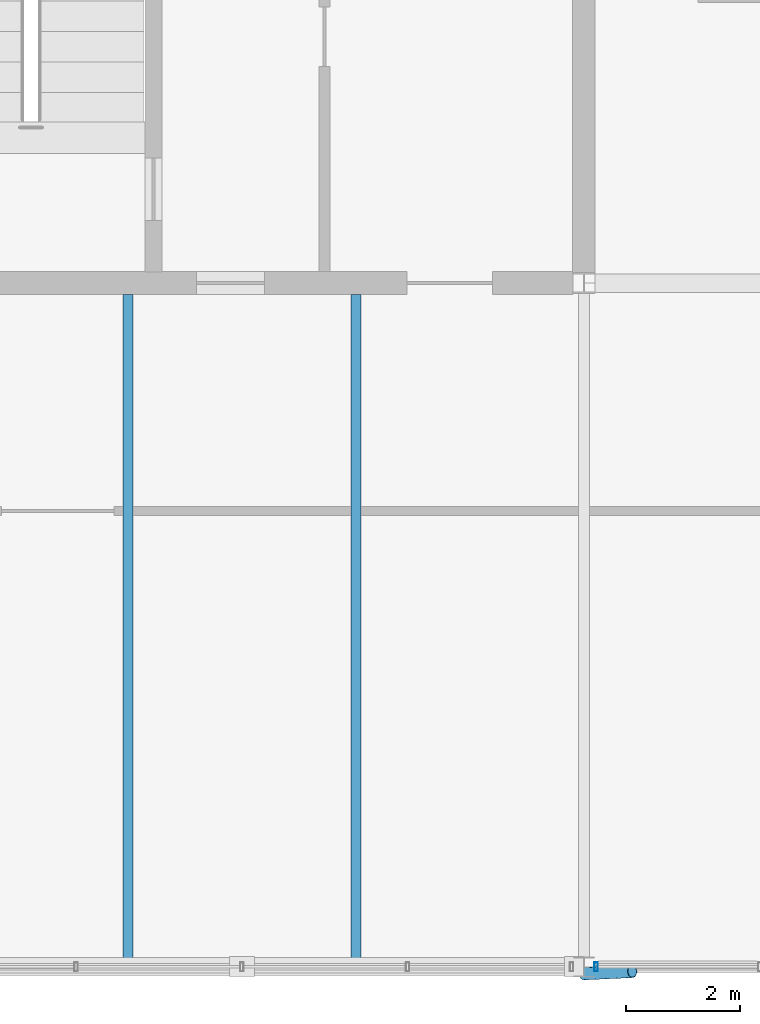
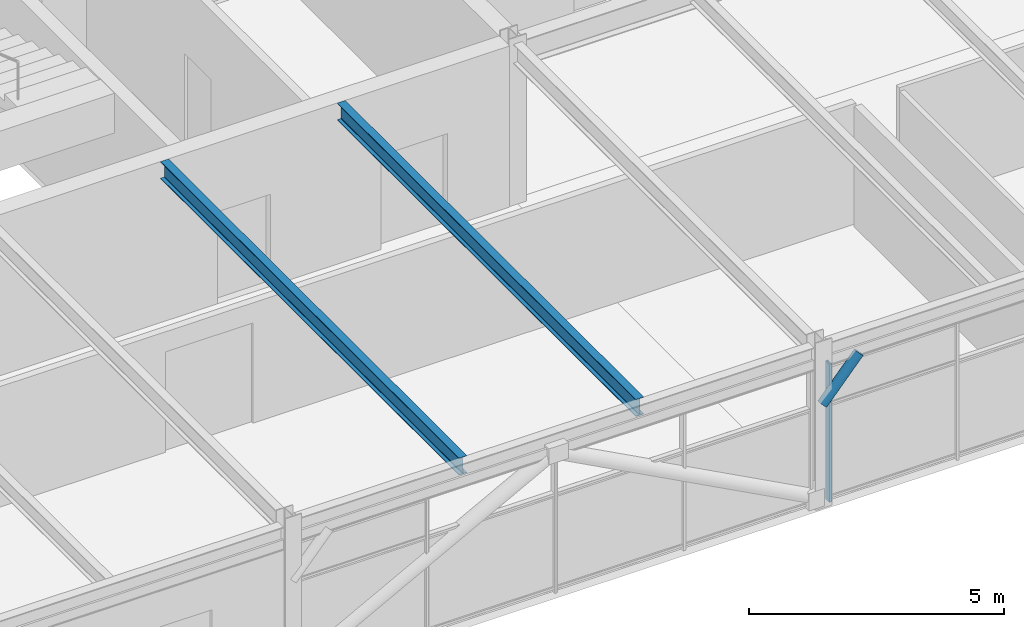
# One storey, part 8 of 40: 2 beams, 2 members, 1 element without a shape of its own.
"""IFC4 building model written with IfcOpenShell, lengths in metres."""

from ifc_helpers import new_model, si_unit, direction, frame, origin, origin_2d, place, context, subcontext, project, spatial, hollow_rectangle, hollow_circle, i_section, extrude, material, material_profile, profile_set, type_object, element, aggregate, save


model = new_model("IFC4")

# Units and contexts
model_context = context("Model", 3, precision=1e-05, world=origin(), true_north=direction((0.0, 1.0)))
body_context = subcontext(model_context, "Body", "Model", "MODEL_VIEW")
ifc_project = project(units=[si_unit("LENGTHUNIT", "METRE"), si_unit("AREAUNIT", "SQUARE_METRE"), si_unit("VOLUMEUNIT", "CUBIC_METRE"), si_unit("PLANEANGLEUNIT", "RADIAN"), si_unit("MASSUNIT", "GRAM", prefix="KILO")], contexts=[model_context])

# Site, building, storey
site_placement = place(None, origin())
site = spatial("IfcSite", under=ifc_project, at=site_placement, CompositionType="ELEMENT")
building_placement = place(site_placement, origin())
building = spatial("IfcBuilding", under=site, at=building_placement, Name="Girod Span Mobility Hub", CompositionType="ELEMENT")
storey_placement = place(building_placement, frame((0.0, 0.0, 57.60009765625)))
storey = spatial("IfcBuildingStorey", under=building, at=storey_placement, Name="L14", CompositionType="ELEMENT", Elevation=57.60009765625)

# Beams
ifc_material_1 = material(Name="Steel A992 Grade 50", Category="steel")
ifc_material_profile_1 = material_profile(ifc_material_1, i_section(OverallWidth=0.178955078125, OverallDepth=0.409912109375, WebThickness=0.0087890625, FlangeThickness=0.014404296875, FilletRadius=0.012939453125, at=origin_2d()), Name="W16X45")
ifc_profile_set_1 = profile_set([ifc_material_profile_1], Name="Steel A992 Grade 50")
beam_type = type_object("IfcBeamType", Name="BM-STL-W16X45", PredefinedType="BEAM", material=ifc_profile_set_1)
for number, where, z_axis, x_axis, name in (
    (1, (52.0, 45.10302734375, 3.64501953125), (0.0, 1.0, 0.0), (-1.0, 0.0, 0.0), "Composite Floorbeam 5/D-1 L14"),
    (2, (56.0, 45.10302734375, 3.64501953125), (0.0, 1.0, 0.0), (-1.0, 0.0, 0.0), "Composite Floorbeam 5/D-2 L14"),
):
    element("IfcBeam", number, at=place(storey_placement, frame(where, z_axis=z_axis, x_axis=x_axis)), inside=storey, type_object=beam_type, Name=name, PredefinedType="BEAM", context=body_context, shape_type="SweptSolid", body=[
        extrude(i_section(OverallWidth=0.178955078125, OverallDepth=0.409912109375, WebThickness=0.0087890625, FlangeThickness=0.014404296875, FilletRadius=0.012939453125, at=origin_2d()), origin(), (0.0, 0.0, 1.0), 11.699951171875),
    ])

# Curtain wall, member
ifc_material_2 = material(Name="Thermally Broken Anodised Aluminium", Category="aluminium")
curtain_wall_type = type_object("IfcCurtainWallType", Name="CW-1164X331", PredefinedType="USERDEFINED", material=ifc_material_2)
curtain_wall_placement = place(storey_placement, origin())
curtain_wall = element("IfcCurtainWall", 3, at=curtain_wall_placement, inside=storey, type_object=curtain_wall_type, Name="Unitised Curtain Wall CW-L14-S06 L14", ObjectType="UNITISED CURTAIN WALL", PredefinedType="USERDEFINED")
ifc_material_3 = material(Name="Thermally Broken Anodised Aluminium", Category="aluminium")
ifc_material_profile_2 = material_profile(ifc_material_3, hollow_rectangle(XDim=0.159912109375, YDim=0.06005859375, WallThickness=0.00341796875, InnerFilletRadius=0.00341796875, OuterFilletRadius=0.007080078125, at=origin_2d()), Name="CW-ML-60X160")
ifc_profile_set_2 = profile_set([ifc_material_profile_2], Name="Thermally Broken Anodised Aluminium")
member_type_1 = type_object("IfcMemberType", Name="CWM-ML-3", PredefinedType="MULLION", material=ifc_profile_set_2)
member_1_placement = place(storey_placement, frame((60.214599609375, 45.0, 0.0), z_axis=(0.0, 0.0, 1.0), x_axis=(0.0, 1.0, 0.0)))
member_1 = element("IfcMember", 4, at=member_1_placement, type_object=member_type_1, Name="Curtain Wall Mullion CW-L14-S06-M0", PredefinedType="MULLION", context=body_context, shape_type="SweptSolid", body=[
    extrude(hollow_rectangle(XDim=0.159912109375, YDim=0.06005859375, WallThickness=0.00341796875, InnerFilletRadius=0.00341796875, OuterFilletRadius=0.007080078125, at=origin_2d()), origin(), (0.0, 0.0, 1.0), 3.305908203125),
])
aggregate(curtain_wall, [member_1])

# Member
ifc_material_4 = material(Name="Steel HSS A500 Grade C", Category="steel")
ifc_material_profile_3 = material_profile(ifc_material_4, hollow_circle(Radius=0.109619140625, WallThickness=0.0087890625, at=origin_2d()), Name="HSS219X9.5")
ifc_profile_set_3 = profile_set([ifc_material_profile_3], Name="Steel HSS A500 Grade C")
member_type_2 = type_object("IfcMemberType", Name="MB-ST-HSS219", PredefinedType="STRUT", material=ifc_profile_set_3)
member_2_placement = place(storey_placement, frame((60.0, 44.8798828125, 2.449951171875), z_axis=(0.678338294934, 0.031949305103, 0.734054766029), x_axis=(-0.047047213483, 0.998892666758, 0.0)))
element("IfcMember", 5, at=member_2_placement, inside=storey, type_object=member_type_2, Name="Solar Shading Knee Strut 6 L14", PredefinedType="STRUT", context=body_context, shape_type="SweptSolid", body=[
    extrude(hollow_circle(Radius=0.109619140625, WallThickness=0.0087890625, at=origin_2d()), origin(), (0.0, 0.0, 1.0), 1.253173828125),
])

save(model, "model.ifc")
